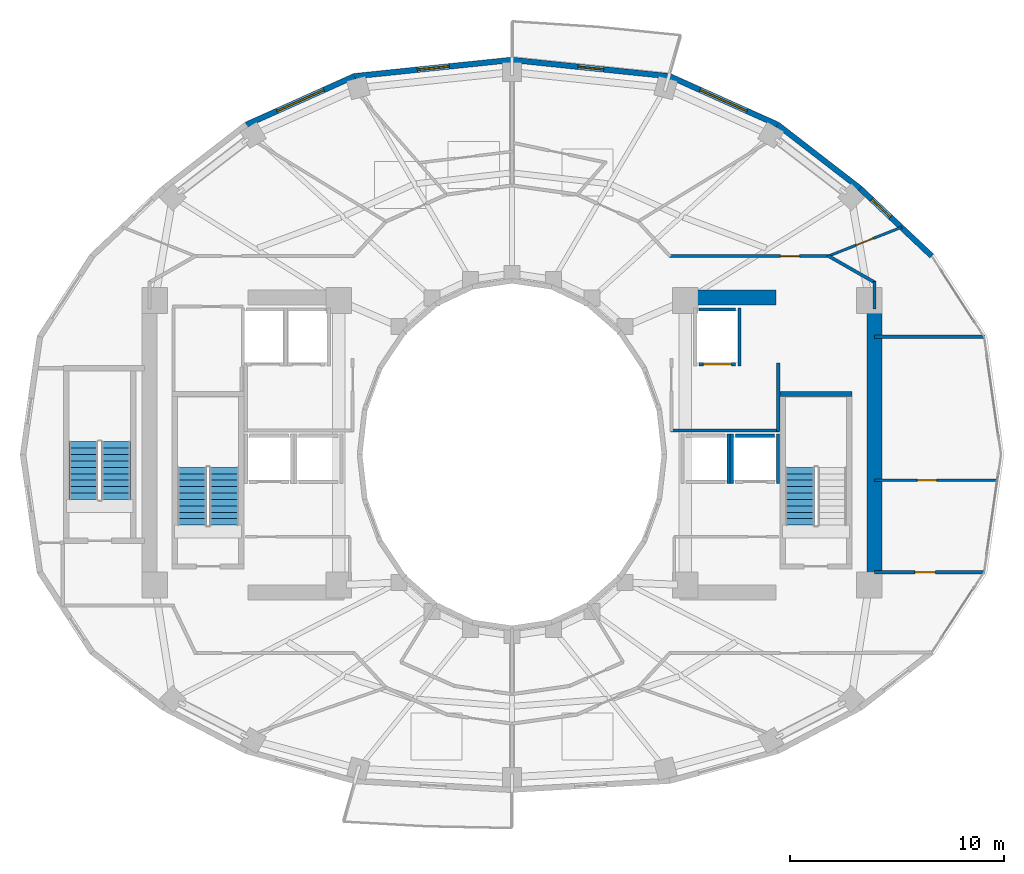
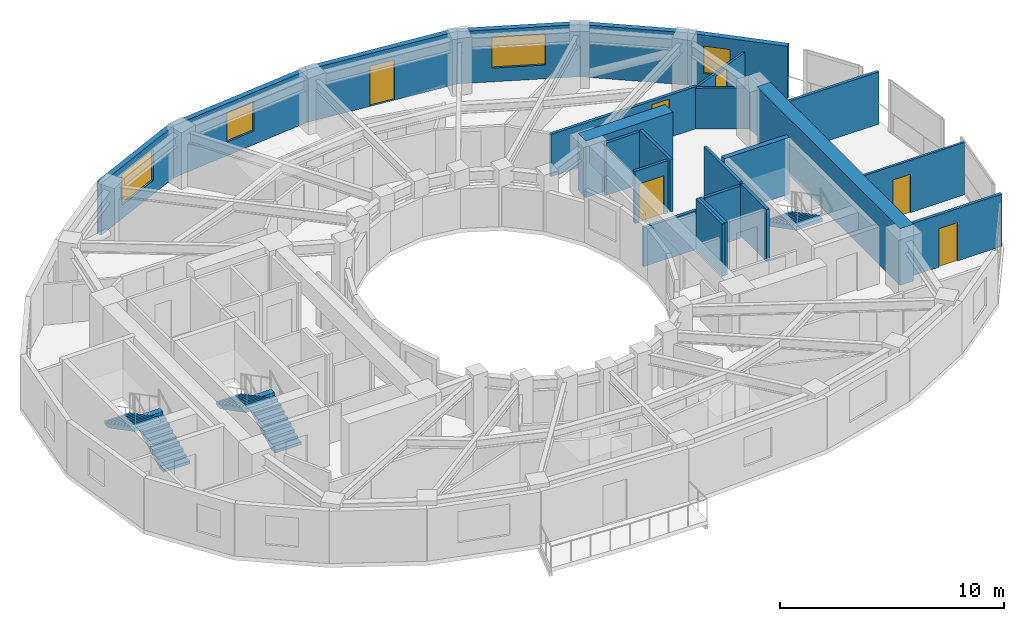
# One storey, part 9 of 13: 25 walls, 6 doors, 5 stair flights, 4 windows, 10 openings, 3 elements without a shape of their own.
"""IFC4 building model written with IfcOpenShell, lengths in metres."""

import ifcopenshell
import ifcopenshell.guid

model = None  # the IFC model being written
_history = None  # IfcOwnerHistory: only IFC2X3 demands one
_inside = {}  # id of a spatial element -> (the spatial element, [elements in it])
_under = {}  # id of a project, library or spatial element -> (it, [spatial elements below it])
_declared = {}  # id of a project -> (the project, [libraries it declares])
_typed = {}  # id of a type object -> (the type object, [elements of that type])
_made_of = {}  # id of a material, layer set ... -> (it, [elements and type objects made of it])


def new_model(schema):
    """Start an empty IFC model of exactly this schema.

    Asked for "IFC4X3", IfcOpenShell would pick the latest addendum, in which some entities
    have other attributes; the version numbers below select the first issue.
    IFC2X3 requires an IfcOwnerHistory on every rooted entity: one is made here for all.
    """
    global model, _history
    if schema == "IFC4X3":
        model = ifcopenshell.file(schema_version=(4, 3, 0, 0))
    else:
        model = ifcopenshell.file(schema=schema)
    _inside.clear()
    _under.clear()
    _declared.clear()
    _typed.clear()
    _made_of.clear()
    _history = None
    if model.schema == "IFC2X3":
        org = make("IfcOrganization", Name="unknown")
        user = make(
            "IfcPersonAndOrganization",
            ThePerson=make("IfcPerson", FamilyName="unknown"),
            TheOrganization=org,
        )
        app = make(
            "IfcApplication",
            ApplicationDeveloper=org,
            Version="unknown",
            ApplicationFullName="unknown",
            ApplicationIdentifier="unknown",
        )
        _history = make(
            "IfcOwnerHistory",
            OwningUser=user,
            OwningApplication=app,
            ChangeAction="ADDED",
            CreationDate=0,
        )
    return model


def make(cls, **values):
    """One entity of the class cls with the attributes given. An attribute that is None is left unset."""
    return model.create_entity(
        cls, **{name: value for name, value in values.items() if value is not None}
    )


def rooted(cls, **values):
    """An entity with a GlobalId (a new one), such as an element, a storey or a relation."""
    return make(cls, GlobalId=ifcopenshell.guid.new(), OwnerHistory=_history, **values)


def si_unit(unit_type, name, prefix=None):
    """IfcSIUnit, for example si_unit("LENGTHUNIT", "METRE", prefix="MILLI")."""
    return make("IfcSIUnit", UnitType=unit_type, Prefix=prefix, Name=name)


def assignment(units):
    """IfcUnitAssignment: the units of a project."""
    return None if units is None else make("IfcUnitAssignment", Units=units)


def point(xyz):
    """IfcCartesianPoint."""
    return None if xyz is None else make("IfcCartesianPoint", Coordinates=xyz)


def direction(xyz):
    """IfcDirection."""
    return None if xyz is None else make("IfcDirection", DirectionRatios=xyz)


def frame(location, z_axis=None, x_axis=None):
    """IfcAxis2Placement3D, a coordinate frame: its origin and axes. An axis left out is left unset."""
    return make(
        "IfcAxis2Placement3D",
        Location=point(location),
        Axis=direction(z_axis),
        RefDirection=direction(x_axis),
    )


def frame_2d(location, x_axis=None):
    """IfcAxis2Placement2D, a coordinate frame in the plane: its origin and x axis."""
    return make(
        "IfcAxis2Placement2D", Location=point(location), RefDirection=direction(x_axis)
    )


def origin():
    """The frame at (0, 0, 0) with its axes left unset."""
    return frame((0.0, 0.0, 0.0))


def place(relative_to, where):
    """IfcLocalPlacement: puts the frame where relative to a parent placement (None: the world)."""
    return make(
        "IfcLocalPlacement", PlacementRelTo=relative_to, RelativePlacement=where
    )


def context(
    kind, dimensions, precision=None, world=None, true_north=None, identifier=None
):
    """IfcGeometricRepresentationContext, for example the 3D "Model" context."""
    return make(
        "IfcGeometricRepresentationContext",
        ContextIdentifier=identifier,
        ContextType=kind,
        CoordinateSpaceDimension=dimensions,
        Precision=precision,
        WorldCoordinateSystem=world,
        TrueNorth=true_north,
    )


def subcontext(parent, identifier, kind, view, scale=None):
    """IfcGeometricRepresentationSubContext, for example "Body" below "Model"."""
    return make(
        "IfcGeometricRepresentationSubContext",
        ContextIdentifier=identifier,
        ContextType=kind,
        ParentContext=parent,
        TargetScale=scale,
        TargetView=view,
    )


def project(units=None, contexts=None):
    """IfcProject with its units and contexts."""
    return rooted(
        "IfcProject",
        Name="project",
        RepresentationContexts=contexts,
        UnitsInContext=assignment(units),
    )


def spatial(cls, under=None, at=None, **own):
    """A site, building, storey or space (cls), placed at a placement, below another one or the project."""
    s = rooted(cls, ObjectPlacement=at, **own)
    if under is not None:
        _under.setdefault(under.id(), (under, []))[1].append(s)
    return s


def polyline(points):
    """IfcPolyline through the points."""
    return make("IfcPolyline", Points=[point(p) for p in points])


def profile(cls, at=None, kind="AREA", **sizes):
    """A parametric profile (cls). Its sizes go by their IFC names, for example OverallWidth=200.0."""
    return make(cls, ProfileType=kind, Position=at, **sizes)


def rectangle(**sizes):
    """IfcRectangleProfileDef."""
    return profile("IfcRectangleProfileDef", **sizes)


def outline(outer, holes=None, kind="AREA"):
    """IfcArbitraryClosedProfileDef: a profile drawn as a closed curve; with holes, ...WithVoids."""
    if holes is None:
        return make("IfcArbitraryClosedProfileDef", ProfileType=kind, OuterCurve=outer)
    return make(
        "IfcArbitraryProfileDefWithVoids",
        ProfileType=kind,
        OuterCurve=outer,
        InnerCurves=holes,
    )


def extrude(swept, where, along, depth):
    """IfcExtrudedAreaSolid: the profile swept, set in the frame where, extruded along a direction by depth."""
    return make(
        "IfcExtrudedAreaSolid",
        SweptArea=swept,
        Position=where,
        ExtrudedDirection=direction(along),
        Depth=depth,
    )


def shape(context_of_items, identifier, shape_type, items):
    """IfcShapeRepresentation: the items that make up one representation, for example the "Body"."""
    return make(
        "IfcShapeRepresentation",
        ContextOfItems=context_of_items,
        RepresentationIdentifier=identifier,
        RepresentationType=shape_type,
        Items=items,
    )


def material(Name=None, Category=None):
    """IfcMaterial."""
    return make("IfcMaterial", Name=Name, Category=Category)


def layer(
    of_material, thickness, ventilated=None, Name=None, Category=None, Priority=None
):
    """IfcMaterialLayer: one layer of a wall or slab, of a material (None: an air gap)."""
    return make(
        "IfcMaterialLayer",
        Material=of_material,
        LayerThickness=thickness,
        IsVentilated=ventilated,
        Name=Name,
        Category=Category,
        Priority=Priority,
    )


def layer_set(layers, Name=None):
    """IfcMaterialLayerSet."""
    return make("IfcMaterialLayerSet", MaterialLayers=layers, LayerSetName=Name)


def made_of(thing, what):
    """Note that an element or type object is made of a material, layer set ...; save() writes the relation."""
    if what is not None:
        _made_of.setdefault(what.id(), (what, []))[1].append(thing)
    return thing


def type_object(cls, material=None, **own):
    """A type object (cls), such as IfcWallType, which elements share."""
    return made_of(rooted(cls, **own), material)


def element(
    cls,
    number,
    at=None,
    inside=None,
    cuts=None,
    type_object=None,
    material=None,
    context=None,
    identifier="Body",
    shape_type=None,
    held_by="IfcProductDefinitionShape",
    body=None,
    shapes=None,
    **own,
):
    """One element of the class cls, such as IfcWall. Its Tag is "e" and its number.

    at: its placement. inside: the storey or other place that contains it. cuts: it is an
    opening in that element (IfcRelVoidsElement). A single representation is given by context,
    identifier, shape_type and body (its items); several are given by shapes. held_by: the class
    of the entity that holds the representations. save() writes the other relations.
    """
    e = rooted(cls, Tag="e%d" % number, ObjectPlacement=at, **own)
    if body is not None:
        shapes = [shape(context, identifier, shape_type, body)]
    if shapes is not None:
        e.Representation = make(held_by, Representations=shapes)
    if inside is not None:
        _inside.setdefault(inside.id(), (inside, []))[1].append(e)
    if cuts is not None:
        rooted(
            "IfcRelVoidsElement", RelatingBuildingElement=cuts, RelatedOpeningElement=e
        )
    if type_object is not None:
        _typed.setdefault(type_object.id(), (type_object, []))[1].append(e)
    return made_of(e, material)


def fill(opening, filler):
    """IfcRelFillsElement: the door or window that sits in an opening."""
    return rooted(
        "IfcRelFillsElement",
        RelatingOpeningElement=opening,
        RelatedBuildingElement=filler,
    )


def aggregate(whole, parts):
    """IfcRelAggregates: a whole, such as a stair, and the parts it consists of."""
    return rooted("IfcRelAggregates", RelatingObject=whole, RelatedObjects=parts)


def save(model, path):
    """Write the relations noted so far, then the file.

    IfcRelAggregates (storeys below a building ...), IfcRelContainedInSpatialStructure (elements
    in a storey), IfcRelDefinesByType, IfcRelAssociatesMaterial and IfcRelDeclares: one each for
    every whole, place, type object, material and project.
    """
    for whole, parts in _under.values():
        aggregate(whole, parts)
    for where, things in _inside.values():
        rooted(
            "IfcRelContainedInSpatialStructure",
            RelatedElements=things,
            RelatingStructure=where,
        )
    for kind, things in _typed.values():
        rooted("IfcRelDefinesByType", RelatedObjects=things, RelatingType=kind)
    for what, things in _made_of.values():
        rooted("IfcRelAssociatesMaterial", RelatedObjects=things, RelatingMaterial=what)
    for by, libraries in _declared.values():
        rooted("IfcRelDeclares", RelatingContext=by, RelatedDefinitions=libraries)
    model.write(path)


model = new_model("IFC4")

# Units and contexts
model_context = context("Model", 3, precision=1e-05, world=origin(), true_north=direction((0.0, 1.0)))
body_context = subcontext(model_context, "Body", "Model", "MODEL_VIEW")
ifc_project = project(units=[si_unit("LENGTHUNIT", "METRE"), si_unit("AREAUNIT", "SQUARE_METRE"), si_unit("VOLUMEUNIT", "CUBIC_METRE"), si_unit("PLANEANGLEUNIT", "RADIAN"), si_unit("MASSUNIT", "GRAM", prefix="KILO")], contexts=[model_context])

# Site, building, storey
site_placement = place(None, origin())
site = spatial("IfcSite", under=ifc_project, at=site_placement, CompositionType="ELEMENT")
building_placement = place(site_placement, origin())
building = spatial("IfcBuilding", under=site, at=building_placement, Name="Solvane Sanctuary Tower", CompositionType="ELEMENT")
storey_placement = place(building_placement, frame((0.0, 0.0, 156.0)))
storey = spatial("IfcBuildingStorey", under=building, at=storey_placement, Name="L47", CompositionType="ELEMENT", Elevation=156.0)

# Walls
ifc_material_1 = material(Name="Concrete C60/75", Category="concrete")
ifc_layer_1 = layer(ifc_material_1, 0.699951171875, Name="Concrete C60/75")
ifc_layer_set_1 = layer_set([ifc_layer_1], Name="Concrete C60/75")
wall_type_1 = type_object("IfcWallType", Name="Wall W-CORE-700", PredefinedType="SHEAR", material=ifc_layer_set_1)
wall_1_placement = place(storey_placement, frame((48.949951171875, 17.050048828125, 0.0), z_axis=(0.0, 0.0, 1.0), x_axis=(0.0, 1.0, 0.0)))
element("IfcWall", 1, at=wall_1_placement, inside=storey, type_object=wall_type_1, Name="L47 Core Shear Wall EC-E", PredefinedType="SHEAR", context=body_context, shape_type="SweptSolid", body=[
    extrude(rectangle(XDim=12.800048828125, YDim=0.699951171875, at=frame_2d((6.39990234375, 0.0))), origin(), (0.0, 0.0, 1.0), 3.10009765625),
])
wall_2_placement = place(storey_placement, frame((39.85009765625, 30.35009765625, 0.0), z_axis=(0.0, 0.0, 1.0), x_axis=(1.0, 0.0, 0.0)))
element("IfcWall", 2, at=wall_2_placement, inside=storey, type_object=wall_type_1, Name="L47 Core Shear Wall EC-N", PredefinedType="SHEAR", context=body_context, shape_type="SweptSolid", body=[
    extrude(rectangle(XDim=4.5, YDim=0.699951171875, at=frame_2d((2.25, 0.0))), origin(), (0.0, 0.0, 1.0), 3.10009765625),
])
ifc_material_2 = material(Name="Acoustic Gypsum Partition Board")
ifc_layer_2 = layer(ifc_material_2, 0.14990234375, Name="Acoustic Gypsum Partition Board")
ifc_layer_set_2 = layer_set([ifc_layer_2], Name="Acoustic Gypsum Partition Board")
wall_type_2 = type_object("IfcWallType", Name="Wall W-CORR-150", PredefinedType="PARTITIONING", material=ifc_layer_set_2)
wall_3_placement = place(storey_placement, frame((39.39990234375, 24.1201171875, 0.0), z_axis=(0.0, 0.0, 1.0), x_axis=(1.0, 0.0, 0.0)))
element("IfcWall", 3, at=wall_3_placement, inside=storey, type_object=wall_type_2, Name="L47 East Firefighting Lobby South Wall", PredefinedType="PARTITIONING", context=body_context, shape_type="SweptSolid", body=[
    extrude(rectangle(XDim=5.080078125, YDim=0.14990234375, at=frame_2d((2.5400390625, 0.0))), origin(), (0.0, 0.0, 1.0), 2.1201171875),
])
wall_4_placement = place(storey_placement, frame((44.449951171875, 24.080078125, 0.0), z_axis=(0.0, 0.0, 1.0), x_axis=(0.0, 1.0, 0.0)))
element("IfcWall", 4, at=wall_4_placement, inside=storey, type_object=wall_type_2, Name="L47 East Firefighting Lobby East Wall", PredefinedType="PARTITIONING", context=body_context, shape_type="SweptSolid", body=[
    extrude(rectangle(XDim=3.199951171875, YDim=0.14990234375, at=frame_2d((1.60009765625, 0.0))), origin(), (0.0, 0.0, 1.0), 2.85498046875),
])

# Wall, opening, door
wall_5_placement = place(storey_placement, frame((48.949951171875, 17.4970703125, 0.0), z_axis=(0.0, 0.0, 1.0), x_axis=(1.0, 0.0, 0.0)))
wall_5 = element("IfcWall", 5, at=wall_5_placement, inside=storey, type_object=wall_type_2, Name="L47 East Shoulder South Wall", PredefinedType="PARTITIONING", context=body_context, shape_type="SweptSolid", body=[
    extrude(rectangle(XDim=5.14013671875, YDim=0.14990234375, at=frame_2d((2.570068359375, 0.0))), origin(), (0.0, 0.0, 1.0), 2.85498046875),
])
opening_1_placement = place(wall_5_placement, frame((1.888671875, 0.0, 0.0)))
opening_1 = element("IfcOpeningElement", 6, at=opening_1_placement, cuts=wall_5, Name="Opening D-L47-11", PredefinedType="OPENING", context=body_context, shape_type="SweptSolid", body=[
    extrude(rectangle(XDim=0.949951171875, YDim=2.10009765625, at=frame_2d((0.47509765625, 1.050048828125))), frame((0.0, 0.0849609375, 0.0), z_axis=(0.0, -1.0, 0.0), x_axis=(1.0, 0.0, 0.0)), (0.0, 0.0, 1.0), 0.169921875),
])
ifc_material_3 = material(Name="Engineered Tropical Hardwood", Category="wood")
door_type_1 = type_object("IfcDoorType", Name="Door D-ROOM-950", OperationType="NOTDEFINED", PredefinedType="DOOR", material=ifc_material_3)
door_1_placement = place(opening_1_placement, origin())
door_1 = element("IfcDoor", 7, at=door_1_placement, inside=storey, type_object=door_type_1, Name="L47 East Shoulder South Door", OperationType="SINGLE_SWING_LEFT", OverallHeight=2.10009765625, OverallWidth=0.949951171875, PredefinedType="DOOR", context=body_context, shape_type="SweptSolid", body=[
    extrude(rectangle(XDim=0.949951171875, YDim=2.10009765625, at=frame_2d((0.47509765625, 1.050048828125))), frame((0.0, 0.02490234375, 0.0), z_axis=(0.0, -1.0, 0.0), x_axis=(1.0, 0.0, 0.0)), (0.0, 0.0, 1.0), 0.050048828125),
])
fill(opening_1, door_1)

# Walls
wall_6_placement = place(storey_placement, frame((48.949951171875, 28.5029296875, 0.0), z_axis=(0.0, 0.0, 1.0), x_axis=(1.0, 0.0, 0.0)))
element("IfcWall", 8, at=wall_6_placement, inside=storey, type_object=wall_type_2, Name="L47 East Shoulder North Wall", PredefinedType="PARTITIONING", context=body_context, shape_type="SweptSolid", body=[
    extrude(rectangle(XDim=5.14013671875, YDim=0.14990234375, at=frame_2d((2.570068359375, 0.0))), origin(), (0.0, 0.0, 1.0), 2.85498046875),
])
wall_7_placement = place(storey_placement, frame((48.949951171875, 29.800048828125, 0.0), z_axis=(0.0, 0.0, 1.0), x_axis=(0.0, 1.0, 0.0)))
element("IfcWall", 9, at=wall_7_placement, inside=storey, type_object=wall_type_2, Name="L47 NE Corner Closer 1", PredefinedType="PARTITIONING", context=body_context, shape_type="SweptSolid", body=[
    extrude(rectangle(XDim=1.2900390625, YDim=0.14990234375, at=frame_2d((0.64501953125, 0.0))), origin(), (0.0, 0.0, 1.0), 2.85498046875),
])

# Wall, opening, door
wall_8_placement = place(storey_placement, frame((39.330078125, 32.280029296875, 0.0), z_axis=(0.0, 0.0, 1.0), x_axis=(1.0, 0.0, 0.0)))
wall_8 = element("IfcWall", 10, at=wall_8_placement, inside=storey, type_object=wall_type_2, Name="L47 NE Corner Corridor Wall", PredefinedType="PARTITIONING", context=body_context, shape_type="SweptSolid", body=[
    extrude(rectangle(XDim=7.52001953125, YDim=0.14990234375, at=frame_2d((3.760009765625, 0.0))), origin(), (0.0, 0.0, 1.0), 2.299072265625),
])
opening_2_placement = place(wall_8_placement, frame((5.219970703125, 0.0, 0.0)))
opening_2 = element("IfcOpeningElement", 11, at=opening_2_placement, cuts=wall_8, Name="Opening D-L47-14", PredefinedType="OPENING", context=body_context, shape_type="SweptSolid", body=[
    extrude(rectangle(XDim=0.89990234375, YDim=2.10009765625, at=frame_2d((0.449951171875, 1.050048828125))), frame((0.0, 0.0849609375, 0.0), z_axis=(0.0, -1.0, 0.0), x_axis=(1.0, 0.0, 0.0)), (0.0, 0.0, 1.0), 0.169921875),
])
door_type_2 = type_object("IfcDoorType", Name="Door D-WET-900", OperationType="NOTDEFINED", PredefinedType="DOOR", material=ifc_material_3)
door_2_placement = place(opening_2_placement, origin())
door_2 = element("IfcDoor", 12, at=door_2_placement, inside=storey, type_object=door_type_2, Name="L47 NE Corner Salon Door", OperationType="SINGLE_SWING_RIGHT", OverallHeight=2.10009765625, OverallWidth=0.89990234375, PredefinedType="DOOR", context=body_context, shape_type="SweptSolid", body=[
    extrude(rectangle(XDim=0.89990234375, YDim=2.10009765625, at=frame_2d((0.449951171875, 1.050048828125))), frame((0.0, 0.02490234375, 0.0), z_axis=(0.0, -1.0, 0.0), x_axis=(1.0, 0.0, 0.0)), (0.0, 0.0, 1.0), 0.050048828125),
])
fill(opening_2, door_2)

# Wall
wall_9_placement = place(storey_placement, frame((46.756591796875, 32.3046875, 0.0), z_axis=(0.0, 0.0, 1.0), x_axis=(0.867991349648, -0.496579315857, 0.0)))
element("IfcWall", 13, at=wall_9_placement, inside=storey, type_object=wall_type_2, Name="L47 NE Corner Wing Wall", PredefinedType="PARTITIONING", context=body_context, shape_type="SweptSolid", body=[
    extrude(rectangle(XDim=2.56689453125, YDim=0.14990234375, at=frame_2d((1.283447265625, 0.0))), origin(), (0.0, 0.0, 1.0), 2.219970703125),
])

# Wall, opening, window
ifc_material_4 = material(Name="Precast concrete C40/50", Category="concrete")
ifc_layer_3 = layer(ifc_material_4, 0.260009765625, Name="Precast concrete C40/50")
ifc_layer_set_3 = layer_set([ifc_layer_3], Name="Precast concrete C40/50")
wall_type_3 = type_object("IfcWallType", Name="Wall W-EXT-250", PredefinedType="STANDARD", material=ifc_layer_set_3)
wall_10_placement = place(storey_placement, frame((51.619140625, 32.28369140625, 0.0), z_axis=(0.0, 0.0, 1.0), x_axis=(-0.727667301037, 0.68593024354, 0.0)))
wall_10 = element("IfcWall", 14, at=wall_10_placement, inside=storey, type_object=wall_type_3, Name="L47 Ceramic-Printed Facade Wall 02", PredefinedType="STANDARD", context=body_context, shape_type="SweptSolid", body=[
    extrude(rectangle(XDim=4.603515625, YDim=0.260009765625, at=frame_2d((2.3017578125, 0.0))), origin(), (0.0, 0.0, 1.0), 2.85009765625),
])
opening_3_placement = place(wall_10_placement, frame((2.65185546875, 0.0, 0.75)))
opening_3 = element("IfcOpeningElement", 15, at=opening_3_placement, cuts=wall_10, Name="Opening WN-OPER-1200", PredefinedType="OPENING", context=body_context, shape_type="SweptSolid", body=[
    extrude(rectangle(XDim=1.199951171875, YDim=1.5, at=frame_2d((0.60009765625, 0.75))), frame((0.0, 0.139892578125, 0.0), z_axis=(0.0, -1.0, 0.0), x_axis=(1.0, 0.0, 0.0)), (0.0, 0.0, 1.0), 0.280029296875),
])
ifc_material_5 = material(Name="Dark Ceramic-Fritted Low-E Glass", Category="glass")
window_type_1 = type_object("IfcWindowType", Name="Window WN-OPER-1200", PartitioningType="SINGLE_PANEL", PredefinedType="WINDOW", material=ifc_material_5)
window_1_placement = place(opening_3_placement, origin())
window_1 = element("IfcWindow", 16, at=window_1_placement, inside=storey, type_object=window_type_1, Name="L47 Operable Facade Window 02", OverallHeight=1.5, OverallWidth=1.199951171875, PartitioningType="SINGLE_PANEL", PredefinedType="WINDOW", context=body_context, shape_type="SweptSolid", body=[
    extrude(rectangle(XDim=1.199951171875, YDim=1.5, at=frame_2d((0.60009765625, 0.75))), frame((0.0, 0.030029296875, 0.0), z_axis=(0.0, -1.0, 0.0), x_axis=(1.0, 0.0, 0.0)), (0.0, 0.0, 1.0), 0.06005859375),
])
fill(opening_3, window_1)

# Wall
wall_11_placement = place(storey_placement, frame((48.269287109375, 35.44140625, 0.0), z_axis=(0.0, 0.0, 1.0), x_axis=(-0.791460185804, 0.611220724687, 0.0)))
element("IfcWall", 17, at=wall_11_placement, inside=storey, type_object=wall_type_3, Name="L47 Ceramic-Printed Facade Wall 03", PredefinedType="STANDARD", context=body_context, shape_type="SweptSolid", body=[
    extrude(rectangle(XDim=4.872314453125, YDim=0.260009765625, at=frame_2d((2.43603515625, 0.0))), origin(), (0.0, 0.0, 1.0), 2.85009765625),
])

# Wall, opening, window
wall_12_placement = place(storey_placement, frame((44.4130859375, 38.41943359375, 0.0), z_axis=(0.0, 0.0, 1.0), x_axis=(-0.912353637112, 0.409403029847, 0.0)))
wall_12 = element("IfcWall", 18, at=wall_12_placement, inside=storey, type_object=wall_type_3, Name="L47 Ceramic-Printed Facade Wall 04", PredefinedType="STANDARD", context=body_context, shape_type="SweptSolid", body=[
    extrude(rectangle(XDim=5.53271484375, YDim=0.260009765625, at=frame_2d((2.766357421875, 0.0))), origin(), (0.0, 0.0, 1.0), 2.85009765625),
])
opening_4_placement = place(wall_12_placement, frame((1.56640625, 0.0, 0.75)))
opening_4 = element("IfcOpeningElement", 19, at=opening_4_placement, cuts=wall_12, Name="Opening WN-RIB-2400", PredefinedType="OPENING", context=body_context, shape_type="SweptSolid", body=[
    extrude(rectangle(XDim=2.39990234375, YDim=1.699951171875, at=frame_2d((1.199951171875, 0.85009765625))), frame((0.0, 0.139892578125, 0.0), z_axis=(0.0, -1.0, 0.0), x_axis=(1.0, 0.0, 0.0)), (0.0, 0.0, 1.0), 0.280029296875),
])
window_type_2 = type_object("IfcWindowType", Name="Window WN-RIB-2400", PartitioningType="SINGLE_PANEL", PredefinedType="WINDOW", material=ifc_material_5)
window_2_placement = place(opening_4_placement, origin())
window_2 = element("IfcWindow", 20, at=window_2_placement, inside=storey, type_object=window_type_2, Name="L47 Operable Facade Window 04", OverallHeight=1.699951171875, OverallWidth=2.39990234375, PartitioningType="SINGLE_PANEL", PredefinedType="WINDOW", context=body_context, shape_type="SweptSolid", body=[
    extrude(rectangle(XDim=2.39990234375, YDim=1.699951171875, at=frame_2d((1.199951171875, 0.85009765625))), frame((0.0, 0.030029296875, 0.0), z_axis=(0.0, -1.0, 0.0), x_axis=(1.0, 0.0, 0.0)), (0.0, 0.0, 1.0), 0.06005859375),
])
fill(opening_4, window_2)

# Wall, opening, door
wall_13_placement = place(storey_placement, frame((39.365234375, 40.6845703125, 0.0), z_axis=(0.0, 0.0, 1.0), x_axis=(-0.994664178965, 0.10316574569, 0.0)))
wall_13 = element("IfcWall", 21, at=wall_13_placement, inside=storey, type_object=wall_type_3, Name="L47 Balcony Facade Wall NC", PredefinedType="STANDARD", context=body_context, shape_type="SweptSolid", body=[
    extrude(rectangle(XDim=7.40478515625, YDim=0.260009765625, at=frame_2d((3.702392578125, 0.0))), origin(), (0.0, 0.0, 1.0), 2.8798828125),
])
opening_5_placement = place(wall_13_placement, frame((3.102294921875, 0.0, 0.0)))
opening_5 = element("IfcOpeningElement", 22, at=opening_5_placement, cuts=wall_13, Name="Opening D-L47-01", PredefinedType="OPENING", context=body_context, shape_type="SweptSolid", body=[
    extrude(rectangle(XDim=1.199951171875, YDim=2.199951171875, at=frame_2d((0.60009765625, 1.10009765625))), frame((0.0, 0.139892578125, 0.0), z_axis=(0.0, -1.0, 0.0), x_axis=(1.0, 0.0, 0.0)), (0.0, 0.0, 1.0), 0.280029296875),
])
ifc_material_6 = material(Name="Anodised Aluminium 6063-T6", Category="aluminium")
door_type_3 = type_object("IfcDoorType", Name="Door D-BALC-1200", OperationType="NOTDEFINED", PredefinedType="DOOR", material=ifc_material_6)
door_3_placement = place(opening_5_placement, origin())
door_3 = element("IfcDoor", 23, at=door_3_placement, inside=storey, type_object=door_type_3, Name="L47 Glazed Balcony Door NC", OperationType="SINGLE_SWING_RIGHT", OverallHeight=2.199951171875, OverallWidth=1.199951171875, PredefinedType="DOOR", context=body_context, shape_type="SweptSolid", body=[
    extrude(rectangle(XDim=1.199951171875, YDim=2.199951171875, at=frame_2d((0.60009765625, 1.10009765625))), frame((0.0, 0.02490234375, 0.0), z_axis=(0.0, -1.0, 0.0), x_axis=(1.0, 0.0, 0.0)), (0.0, 0.0, 1.0), 0.050048828125),
])
fill(opening_5, door_3)

# Wall, opening, window
wall_14_placement = place(storey_placement, frame((32.0, 41.448486328125, 0.0), z_axis=(0.0, 0.0, 1.0), x_axis=(-0.994664178965, -0.10316574569, 0.0)))
wall_14 = element("IfcWall", 24, at=wall_14_placement, inside=storey, type_object=wall_type_3, Name="L47 Ceramic-Printed Facade Wall 06", PredefinedType="STANDARD", context=body_context, shape_type="SweptSolid", body=[
    extrude(rectangle(XDim=7.40478515625, YDim=0.260009765625, at=frame_2d((3.702392578125, 0.0))), origin(), (0.0, 0.0, 1.0), 2.85009765625),
])
opening_6_placement = place(wall_14_placement, frame((2.952392578125, 0.0, 0.75)))
opening_6 = element("IfcOpeningElement", 25, at=opening_6_placement, cuts=wall_14, Name="Opening WN-OPER-1500", PredefinedType="OPENING", context=body_context, shape_type="SweptSolid", body=[
    extrude(rectangle(XDim=1.5, YDim=1.60009765625, at=frame_2d((0.75, 0.800048828125))), frame((0.0, 0.139892578125, 0.0), z_axis=(0.0, -1.0, 0.0), x_axis=(1.0, 0.0, 0.0)), (0.0, 0.0, 1.0), 0.280029296875),
])
window_type_3 = type_object("IfcWindowType", Name="Window WN-OPER-1500", PartitioningType="SINGLE_PANEL", PredefinedType="WINDOW", material=ifc_material_5)
window_3_placement = place(opening_6_placement, origin())
window_3 = element("IfcWindow", 26, at=window_3_placement, inside=storey, type_object=window_type_3, Name="L47 Operable Facade Window 06", OverallHeight=1.60009765625, OverallWidth=1.5, PartitioningType="SINGLE_PANEL", PredefinedType="WINDOW", context=body_context, shape_type="SweptSolid", body=[
    extrude(rectangle(XDim=1.5, YDim=1.60009765625, at=frame_2d((0.75, 0.800048828125))), frame((0.0, 0.030029296875, 0.0), z_axis=(0.0, -1.0, 0.0), x_axis=(1.0, 0.0, 0.0)), (0.0, 0.0, 1.0), 0.06005859375),
])
fill(opening_6, window_3)

wall_15_placement = place(storey_placement, frame((24.634765625, 40.6845703125, 0.0), z_axis=(0.0, 0.0, 1.0), x_axis=(-0.912353637112, -0.409403029847, 0.0)))
wall_15 = element("IfcWall", 27, at=wall_15_placement, inside=storey, type_object=wall_type_3, Name="L47 Ceramic-Printed Facade Wall 07", PredefinedType="STANDARD", context=body_context, shape_type="SweptSolid", body=[
    extrude(rectangle(XDim=5.53271484375, YDim=0.260009765625, at=frame_2d((2.766357421875, 0.0))), origin(), (0.0, 0.0, 1.0), 2.85009765625),
])
opening_7_placement = place(wall_15_placement, frame((1.56640625, 0.0, 0.75)))
opening_7 = element("IfcOpeningElement", 28, at=opening_7_placement, cuts=wall_15, Name="Opening WN-RIB-2400", PredefinedType="OPENING", context=body_context, shape_type="SweptSolid", body=[
    extrude(rectangle(XDim=2.39990234375, YDim=1.699951171875, at=frame_2d((1.199951171875, 0.85009765625))), frame((0.0, 0.139892578125, 0.0), z_axis=(0.0, -1.0, 0.0), x_axis=(1.0, 0.0, 0.0)), (0.0, 0.0, 1.0), 0.280029296875),
])
window_4_placement = place(opening_7_placement, origin())
window_4 = element("IfcWindow", 29, at=window_4_placement, inside=storey, type_object=window_type_2, Name="L47 Operable Facade Window 07", OverallHeight=1.699951171875, OverallWidth=2.39990234375, PartitioningType="SINGLE_PANEL", PredefinedType="WINDOW", context=body_context, shape_type="SweptSolid", body=[
    extrude(rectangle(XDim=2.39990234375, YDim=1.699951171875, at=frame_2d((1.199951171875, 0.85009765625))), frame((0.0, 0.030029296875, 0.0), z_axis=(0.0, -1.0, 0.0), x_axis=(1.0, 0.0, 0.0)), (0.0, 0.0, 1.0), 0.06005859375),
])
fill(opening_7, window_4)

# Wall, opening, door
ifc_layer_4 = layer(ifc_material_2, 0.1201171875, Name="Acoustic Gypsum Partition Board")
ifc_layer_set_4 = layer_set([ifc_layer_4], Name="Acoustic Gypsum Partition Board")
wall_type_4 = type_object("IfcWallType", Name="Wall W-MOV-100", PredefinedType="MOVABLE", material=ifc_layer_set_4)
wall_16_placement = place(storey_placement, frame((48.949951171875, 21.800048828125, 0.0), z_axis=(0.0, 0.0, 1.0), x_axis=(1.0, 0.0, 0.0)))
wall_16 = element("IfcWall", 30, at=wall_16_placement, inside=storey, type_object=wall_type_4, Name="L47 East Suite Partition", PredefinedType="MOVABLE", context=body_context, shape_type="SweptSolid", body=[
    extrude(rectangle(XDim=5.69775390625, YDim=0.1201171875, at=frame_2d((2.848876953125, 0.0))), origin(), (0.0, 0.0, 1.0), 2.85498046875),
])
opening_8_placement = place(wall_16_placement, frame((2.0, 0.0, 0.0)))
opening_8 = element("IfcOpeningElement", 31, at=opening_8_placement, cuts=wall_16, Name="Opening D-L47-12", PredefinedType="OPENING", context=body_context, shape_type="SweptSolid", body=[
    extrude(rectangle(XDim=0.89990234375, YDim=2.10009765625, at=frame_2d((0.449951171875, 1.050048828125))), frame((0.0, 0.070068359375, 0.0), z_axis=(0.0, -1.0, 0.0), x_axis=(1.0, 0.0, 0.0)), (0.0, 0.0, 1.0), 0.14013671875),
])
door_4_placement = place(opening_8_placement, origin())
door_4 = element("IfcDoor", 32, at=door_4_placement, inside=storey, type_object=door_type_2, Name="L47 East Suite Internal Door", OperationType="SINGLE_SWING_RIGHT", OverallHeight=2.10009765625, OverallWidth=0.89990234375, PredefinedType="DOOR", context=body_context, shape_type="SweptSolid", body=[
    extrude(rectangle(XDim=0.89990234375, YDim=2.10009765625, at=frame_2d((0.449951171875, 1.050048828125))), frame((0.0, 0.02490234375, 0.0), z_axis=(0.0, -1.0, 0.0), x_axis=(1.0, 0.0, 0.0)), (0.0, 0.0, 1.0), 0.050048828125),
])
fill(opening_8, door_4)

wall_17_placement = place(storey_placement, frame((46.75341796875, 32.26171875, 0.0), z_axis=(0.0, 0.0, 1.0), x_axis=(0.930204027108, 0.367042869367, 0.0)))
wall_17 = element("IfcWall", 33, at=wall_17_placement, inside=storey, type_object=wall_type_4, Name="L47 NE Corner Suite Partition", PredefinedType="MOVABLE", context=body_context, shape_type="SweptSolid", body=[
    extrude(rectangle(XDim=3.73095703125, YDim=0.1201171875, at=frame_2d((1.865478515625, 0.0))), origin(), (0.0, 0.0, 1.0), 2.219970703125),
])
opening_9_placement = place(wall_17_placement, frame((1.4404296875, 0.0, 0.0)))
opening_9 = element("IfcOpeningElement", 34, at=opening_9_placement, cuts=wall_17, Name="Opening D-L47-13", PredefinedType="OPENING", context=body_context, shape_type="SweptSolid", body=[
    extrude(rectangle(XDim=0.85009765625, YDim=2.050048828125, at=frame_2d((0.425048828125, 1.02490234375))), frame((0.0, 0.070068359375, 0.0), z_axis=(0.0, -1.0, 0.0), x_axis=(1.0, 0.0, 0.0)), (0.0, 0.0, 1.0), 0.14013671875),
])
ifc_material_7 = material(Name="Architectural Stainless Steel 316", Category="steel")
door_type_4 = type_object("IfcDoorType", Name="Door D-RISER", OperationType="NOTDEFINED", PredefinedType="DOOR", material=ifc_material_7)
door_5_placement = place(opening_9_placement, origin())
door_5 = element("IfcDoor", 35, at=door_5_placement, inside=storey, type_object=door_type_4, Name="L47 NE Corner Suite Door", OperationType="SINGLE_SWING_LEFT", OverallHeight=2.050048828125, OverallWidth=0.85009765625, PredefinedType="DOOR", context=body_context, shape_type="SweptSolid", body=[
    extrude(rectangle(XDim=0.85009765625, YDim=2.050048828125, at=frame_2d((0.425048828125, 1.02490234375))), frame((0.0, 0.02490234375, 0.0), z_axis=(0.0, -1.0, 0.0), x_axis=(1.0, 0.0, 0.0)), (0.0, 0.0, 1.0), 0.050048828125),
])
fill(opening_9, door_5)

# Walls
ifc_material_8 = material(Name="Concrete C50/60", Category="concrete")
ifc_layer_5 = layer(ifc_material_8, 0.14990234375, Name="Concrete C50/60")
ifc_layer_set_5 = layer_set([ifc_layer_5], Name="Concrete C50/60")
wall_type_5 = type_object("IfcWallType", Name="Wall W-SHAFT-150", PredefinedType="SOLIDWALL", material=ifc_layer_set_5)
wall_18_placement = place(storey_placement, frame((42.43994140625, 23.8798828125, 0.0), z_axis=(0.0, 0.0, 1.0), x_axis=(1.0, 0.0, 0.0)))
element("IfcWall", 36, at=wall_18_placement, inside=storey, type_object=wall_type_5, Name="L47 PM-2 Lift Shaft Wall B", PredefinedType="SOLIDWALL", context=body_context, shape_type="SweptSolid", body=[
    extrude(rectangle(XDim=1.820068359375, YDim=0.14990234375, at=frame_2d((0.91015625, 0.0))), origin(), (0.0, 0.0, 1.0), 2.85498046875),
])
for number, where, z_axis, x_axis, name in (
    (37, (42.27001953125, 21.639892578125, 0.0), (0.0, 0.0, 1.0), (0.0, 1.0, 0.0), "L47 PM-2 Lift Shaft Wall S1"),
    (38, (44.429931640625, 21.639892578125, 0.0), (0.0, 0.0, 1.0), (0.0, 1.0, 0.0), "L47 PM-2 Lift Shaft Wall S2"),
    (39, (42.1298828125, 21.639892578125, 0.0), (0.0, 0.0, 1.0), (0.0, 1.0, 0.0), "L47 PH-2 Lift Shaft Wall S2"),
):
    element("IfcWall", number, at=place(storey_placement, frame(where, z_axis=z_axis, x_axis=x_axis)), inside=storey, type_object=wall_type_5, Name=name, PredefinedType="SOLIDWALL", context=body_context, shape_type="SweptSolid", body=[
        extrude(rectangle(XDim=2.320068359375, YDim=0.14990234375, at=frame_2d((1.16015625, 0.0))), origin(), (0.0, 0.0, 1.0), 2.85498046875),
    ])

# Wall, opening, door
wall_19_placement = place(storey_placement, frame((40.739990234375, 27.219970703125, 0.0), z_axis=(0.0, 0.0, 1.0), x_axis=(1.0, 0.0, 0.0)))
wall_19 = element("IfcWall", 40, at=wall_19_placement, inside=storey, type_object=wall_type_5, Name="L47 FFL-2 Lift Shaft Wall F", PredefinedType="SOLIDWALL", context=body_context, shape_type="SweptSolid", body=[
    extrude(rectangle(XDim=1.719970703125, YDim=0.14990234375, at=frame_2d((0.85986328125, 0.0))), origin(), (0.0, 0.0, 1.0), 2.85498046875),
])
opening_10_placement = place(wall_19_placement, frame((0.2099609375, 0.0, 0.0)))
opening_10 = element("IfcOpeningElement", 41, at=opening_10_placement, cuts=wall_19, Name="Opening LD-L47-05", PredefinedType="OPENING", context=body_context, shape_type="SweptSolid", body=[
    extrude(rectangle(XDim=1.300048828125, YDim=2.10009765625, at=frame_2d((0.64990234375, 1.050048828125))), frame((0.0, 0.0849609375, 0.0), z_axis=(0.0, -1.0, 0.0), x_axis=(1.0, 0.0, 0.0)), (0.0, 0.0, 1.0), 0.169921875),
])
door_type_5 = type_object("IfcDoorType", Name="Door LD-FFL-1300", OperationType="NOTDEFINED", PredefinedType="DOOR", material=ifc_material_7)
door_6_placement = place(opening_10_placement, origin())
door_6 = element("IfcDoor", 42, at=door_6_placement, inside=storey, type_object=door_type_5, Name="L47 FFL-2 Lift Landing Door", OperationType="DOUBLE_DOOR_SLIDING", OverallHeight=2.10009765625, OverallWidth=1.300048828125, PredefinedType="DOOR", context=body_context, shape_type="SweptSolid", body=[
    extrude(rectangle(XDim=1.300048828125, YDim=2.10009765625, at=frame_2d((0.64990234375, 1.050048828125))), frame((0.0, 0.02490234375, 0.0), z_axis=(0.0, -1.0, 0.0), x_axis=(1.0, 0.0, 0.0)), (0.0, 0.0, 1.0), 0.050048828125),
])
fill(opening_10, door_6)

# Walls
wall_20_placement = place(storey_placement, frame((40.739990234375, 29.780029296875, 0.0), z_axis=(0.0, 0.0, 1.0), x_axis=(1.0, 0.0, 0.0)))
element("IfcWall", 43, at=wall_20_placement, inside=storey, type_object=wall_type_5, Name="L47 FFL-2 Lift Shaft Wall B", PredefinedType="SOLIDWALL", context=body_context, shape_type="SweptSolid", body=[
    extrude(rectangle(XDim=1.719970703125, YDim=0.14990234375, at=frame_2d((0.85986328125, 0.0))), origin(), (0.0, 0.0, 1.0), 2.85498046875),
])
wall_21_placement = place(storey_placement, frame((42.6298828125, 27.139892578125, 0.0), z_axis=(0.0, 0.0, 1.0), x_axis=(0.0, 1.0, 0.0)))
element("IfcWall", 44, at=wall_21_placement, inside=storey, type_object=wall_type_5, Name="L47 FFL-2 Lift Shaft Wall S2", PredefinedType="SOLIDWALL", context=body_context, shape_type="SweptSolid", body=[
    extrude(rectangle(XDim=2.72021484375, YDim=0.14990234375, at=frame_2d((1.360107421875, 0.0))), origin(), (0.0, 0.0, 1.0), 2.85498046875),
])
ifc_layer_6 = layer(ifc_material_8, 0.25, Name="Concrete C50/60")
ifc_layer_set_6 = layer_set([ifc_layer_6], Name="Concrete C50/60")
wall_type_6 = type_object("IfcWallType", Name="Wall W-SHAFT-250", PredefinedType="SOLIDWALL", material=ifc_layer_set_6)
wall_22_placement = place(storey_placement, frame((44.52490234375, 25.830078125, 0.0), z_axis=(0.0, 0.0, 1.0), x_axis=(1.0, 0.0, 0.0)))
element("IfcWall", 45, at=wall_22_placement, inside=storey, type_object=wall_type_6, Name="L47 ST-2 Load-Bearing Shaft Wall N", PredefinedType="SOLIDWALL", context=body_context, shape_type="SweptSolid", body=[
    extrude(rectangle(XDim=3.3701171875, YDim=0.25, at=frame_2d((1.68505859375, 0.0))), origin(), (0.0, 0.0, 1.0), 3.10009765625),
])

# Stair, stair flights
ifc_material_9 = material(Name="Concrete C45/55", Category="concrete")
stair_type = type_object("IfcStairType", Name="Stair ST-TOW", PredefinedType="HALF_TURN_STAIR", material=ifc_material_9)
stair_1_placement = place(storey_placement, origin())
stair_1 = element("IfcStair", 46, at=stair_1_placement, inside=storey, type_object=stair_type, Name="L47 Exit Stair ST-1 West Core", PredefinedType="HALF_TURN_STAIR")
stair_flight_type = type_object("IfcStairFlightType", Name="StairFlight SF-TOW", PredefinedType="STRAIGHT", material=ifc_material_9)
stair_flight_1_placement = place(storey_placement, frame((18.544921875, 19.699951171875, 0.0), z_axis=(0.0, 0.0, 1.0), x_axis=(0.0, 1.0, 0.0)))
stair_flight_1 = element("IfcStairFlight", 47, at=stair_flight_1_placement, type_object=stair_flight_type, Name="ST-1 flight 1", NumberOfRisers=10, NumberOfTreads=9, PredefinedType="STRAIGHT", RiserHeight=0.155, TreadLength=0.3, context=body_context, shape_type="SweptSolid", body=[
    extrude(outline(polyline([(0.0, 0.0), (0.0, 0.155029296875), (0.300048828125, 0.155029296875), (0.300048828125, 0.31005859375), (0.60009765625, 0.31005859375), (0.60009765625, 0.465087890625), (0.89990234375, 0.465087890625), (0.89990234375, 0.6201171875), (1.199951171875, 0.6201171875), (1.199951171875, 0.77490234375), (1.5, 0.77490234375), (1.5, 0.929931640625), (1.800048828125, 0.929931640625), (1.800048828125, 1.0849609375), (2.10009765625, 1.0849609375), (2.10009765625, 1.239990234375), (2.39990234375, 1.239990234375), (2.39990234375, 1.39501953125), (2.699951171875, 1.39501953125), (2.699951171875, 1.550048828125), (2.699951171875, 1.1923828125), (0.39208984375, 0.0), (0.0, 0.0)])), frame((0.0, 0.675048828125, 0.0), z_axis=(0.0, -1.0, 0.0), x_axis=(1.0, 0.0, 0.0)), (0.0, 0.0, 1.0), 1.35009765625),
])
stair_flight_2_placement = place(storey_placement, frame((17.034912109375, 22.39990234375, 1.550048828125), z_axis=(0.0, 0.0, 1.0), x_axis=(0.0, -1.0, 0.0)))
stair_flight_2 = element("IfcStairFlight", 48, at=stair_flight_2_placement, type_object=stair_flight_type, Name="ST-1 flight 2", NumberOfRisers=10, NumberOfTreads=9, PredefinedType="STRAIGHT", RiserHeight=0.155, TreadLength=0.3, context=body_context, shape_type="SweptSolid", body=[
    extrude(outline(polyline([(0.0, 0.0), (0.0, 0.155029296875), (0.300048828125, 0.155029296875), (0.300048828125, 0.31005859375), (0.60009765625, 0.31005859375), (0.60009765625, 0.465087890625), (0.89990234375, 0.465087890625), (0.89990234375, 0.6201171875), (1.199951171875, 0.6201171875), (1.199951171875, 0.77490234375), (1.5, 0.77490234375), (1.5, 0.929931640625), (1.800048828125, 0.929931640625), (1.800048828125, 1.0849609375), (2.10009765625, 1.0849609375), (2.10009765625, 1.239990234375), (2.39990234375, 1.239990234375), (2.39990234375, 1.39501953125), (2.699951171875, 1.39501953125), (2.699951171875, 1.550048828125), (2.699951171875, 1.1923828125), (0.39208984375, 0.0), (0.0, 0.0)])), frame((0.0, 0.675048828125, 0.0), z_axis=(0.0, -1.0, 0.0), x_axis=(1.0, 0.0, 0.0)), (0.0, 0.0, 1.0), 1.35009765625),
])
aggregate(stair_1, [stair_flight_1, stair_flight_2])

# Stair, stair flight
stair_2_placement = place(storey_placement, origin())
stair_2 = element("IfcStair", 49, at=stair_2_placement, inside=storey, type_object=stair_type, Name="L47 Exit Stair ST-2 East Core", PredefinedType="HALF_TURN_STAIR")
stair_flight_3_placement = place(storey_placement, frame((45.455078125, 22.39990234375, 1.550048828125), z_axis=(0.0, 0.0, 1.0), x_axis=(0.0, -1.0, 0.0)))
stair_flight_3 = element("IfcStairFlight", 50, at=stair_flight_3_placement, type_object=stair_flight_type, Name="ST-2 flight 2", NumberOfRisers=10, NumberOfTreads=9, PredefinedType="STRAIGHT", RiserHeight=0.155, TreadLength=0.3, context=body_context, shape_type="SweptSolid", body=[
    extrude(outline(polyline([(0.0, 0.0), (0.0, 0.155029296875), (0.300048828125, 0.155029296875), (0.300048828125, 0.31005859375), (0.60009765625, 0.31005859375), (0.60009765625, 0.465087890625), (0.89990234375, 0.465087890625), (0.89990234375, 0.6201171875), (1.199951171875, 0.6201171875), (1.199951171875, 0.77490234375), (1.5, 0.77490234375), (1.5, 0.929931640625), (1.800048828125, 0.929931640625), (1.800048828125, 1.0849609375), (2.10009765625, 1.0849609375), (2.10009765625, 1.239990234375), (2.39990234375, 1.239990234375), (2.39990234375, 1.39501953125), (2.699951171875, 1.39501953125), (2.699951171875, 1.550048828125), (2.699951171875, 1.1923828125), (0.39208984375, 0.0), (0.0, 0.0)])), frame((0.0, 0.675048828125, 0.0), z_axis=(0.0, -1.0, 0.0), x_axis=(1.0, 0.0, 0.0)), (0.0, 0.0, 1.0), 1.35009765625),
])
aggregate(stair_2, [stair_flight_3])

# Stair, stair flights
stair_3_placement = place(storey_placement, origin())
stair_3 = element("IfcStair", 51, at=stair_3_placement, inside=storey, type_object=stair_type, Name="L47 Exit Stair ST-3 Pilgrim Tower Stair", PredefinedType="HALF_TURN_STAIR")
stair_flight_4_placement = place(storey_placement, frame((13.485107421875, 20.89990234375, 0.0), z_axis=(0.0, 0.0, 1.0), x_axis=(0.0, 1.0, 0.0)))
stair_flight_4 = element("IfcStairFlight", 52, at=stair_flight_4_placement, type_object=stair_flight_type, Name="ST-3 flight 1", NumberOfRisers=10, NumberOfTreads=9, PredefinedType="STRAIGHT", RiserHeight=0.155, TreadLength=0.3, context=body_context, shape_type="SweptSolid", body=[
    extrude(outline(polyline([(0.0, 0.0), (0.0, 0.155029296875), (0.300048828125, 0.155029296875), (0.300048828125, 0.31005859375), (0.60009765625, 0.31005859375), (0.60009765625, 0.465087890625), (0.89990234375, 0.465087890625), (0.89990234375, 0.6201171875), (1.199951171875, 0.6201171875), (1.199951171875, 0.77490234375), (1.5, 0.77490234375), (1.5, 0.929931640625), (1.800048828125, 0.929931640625), (1.800048828125, 1.0849609375), (2.10009765625, 1.0849609375), (2.10009765625, 1.239990234375), (2.39990234375, 1.239990234375), (2.39990234375, 1.39501953125), (2.699951171875, 1.39501953125), (2.699951171875, 1.550048828125), (2.699951171875, 1.1923828125), (0.39208984375, 0.0), (0.0, 0.0)])), frame((0.0, 0.675048828125, 0.0), z_axis=(0.0, -1.0, 0.0), x_axis=(1.0, 0.0, 0.0)), (0.0, 0.0, 1.0), 1.35009765625),
])
stair_flight_5_placement = place(storey_placement, frame((11.97509765625, 23.60009765625, 1.550048828125), z_axis=(0.0, 0.0, 1.0), x_axis=(0.0, -1.0, 0.0)))
stair_flight_5 = element("IfcStairFlight", 53, at=stair_flight_5_placement, type_object=stair_flight_type, Name="ST-3 flight 2", NumberOfRisers=10, NumberOfTreads=9, PredefinedType="STRAIGHT", RiserHeight=0.155, TreadLength=0.3, context=body_context, shape_type="SweptSolid", body=[
    extrude(outline(polyline([(0.0, 0.0), (0.0, 0.155029296875), (0.300048828125, 0.155029296875), (0.300048828125, 0.31005859375), (0.60009765625, 0.31005859375), (0.60009765625, 0.465087890625), (0.89990234375, 0.465087890625), (0.89990234375, 0.6201171875), (1.199951171875, 0.6201171875), (1.199951171875, 0.77490234375), (1.5, 0.77490234375), (1.5, 0.929931640625), (1.800048828125, 0.929931640625), (1.800048828125, 1.0849609375), (2.10009765625, 1.0849609375), (2.10009765625, 1.239990234375), (2.39990234375, 1.239990234375), (2.39990234375, 1.39501953125), (2.699951171875, 1.39501953125), (2.699951171875, 1.550048828125), (2.699951171875, 1.1923828125), (0.39208984375, 0.0), (0.0, 0.0)])), frame((0.0, 0.675048828125, 0.0), z_axis=(0.0, -1.0, 0.0), x_axis=(1.0, 0.0, 0.0)), (0.0, 0.0, 1.0), 1.35009765625),
])
aggregate(stair_3, [stair_flight_4, stair_flight_5])

save(model, "model.ifc")
